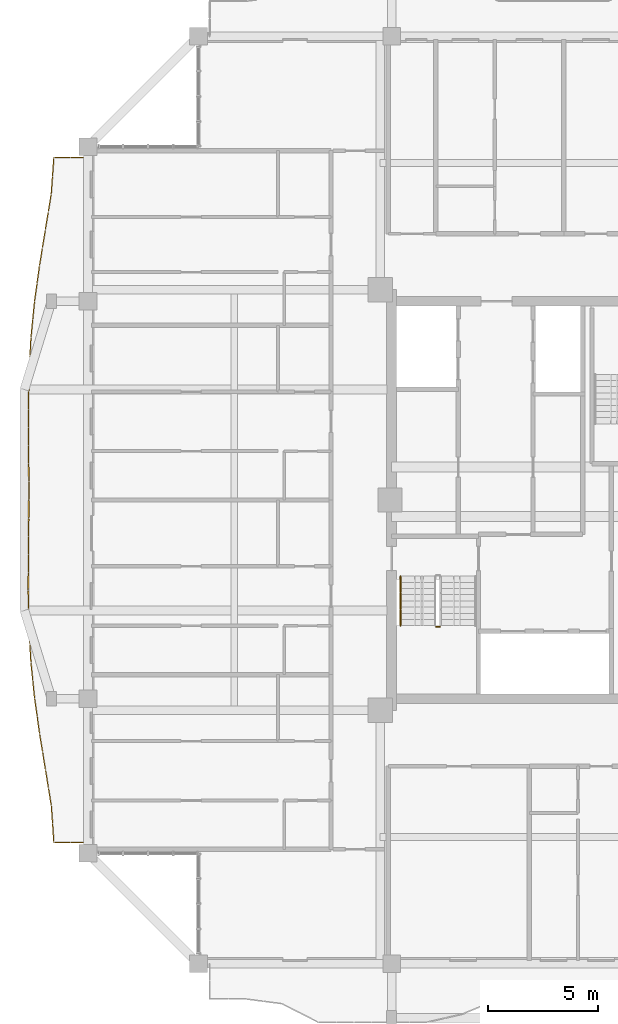
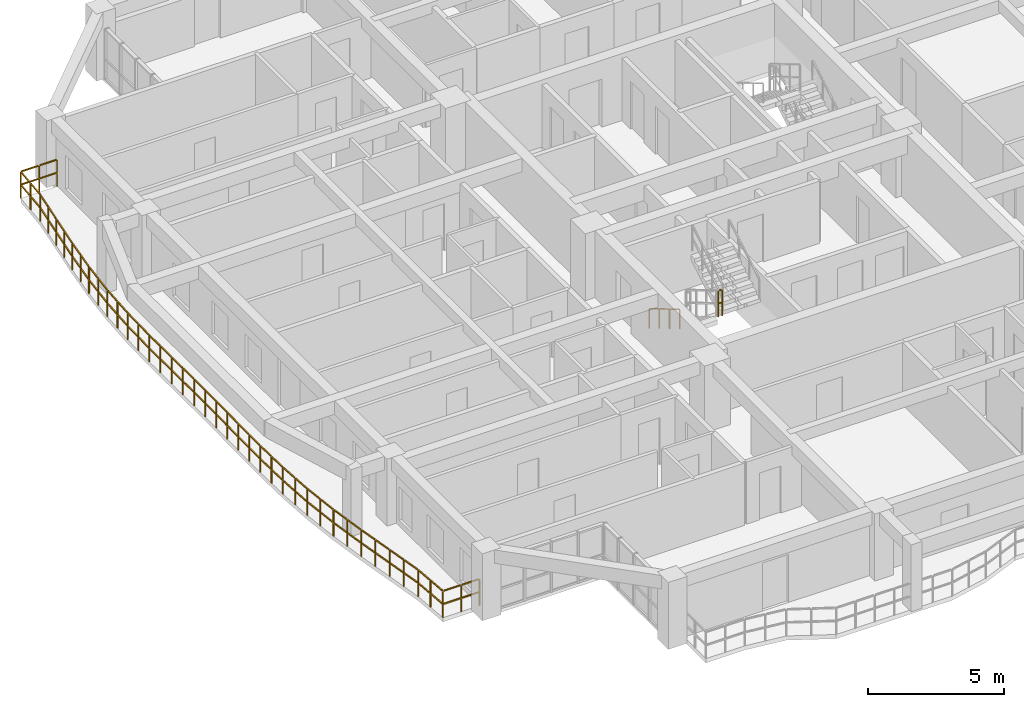
# One storey, part 18 of 21: 3 railings.
"""IFC4 building model written with IfcOpenShell, lengths in metres."""

from ifc_helpers import new_model, si_unit, direction, frame, origin, origin_2d, place, context, subcontext, project, spatial, rectangle, extrude, material, type_object, element, save


model = new_model("IFC4")

# Units and contexts
model_context = context("Model", 3, precision=1e-05, world=origin(), true_north=direction((0.0, 1.0)))
body_context = subcontext(model_context, "Body", "Model", "MODEL_VIEW")
ifc_project = project(units=[si_unit("LENGTHUNIT", "METRE"), si_unit("AREAUNIT", "SQUARE_METRE"), si_unit("VOLUMEUNIT", "CUBIC_METRE"), si_unit("PLANEANGLEUNIT", "RADIAN"), si_unit("MASSUNIT", "GRAM", prefix="KILO")], contexts=[model_context])

# Site, building, storey
site_placement = place(None, origin())
site = spatial("IfcSite", under=ifc_project, at=site_placement, CompositionType="ELEMENT")
building_placement = place(site_placement, origin())
building = spatial("IfcBuilding", under=site, at=building_placement, Name="Saelheon Loggia Tower", CompositionType="ELEMENT")
storey_placement = place(building_placement, frame((0.0, 0.0, 186.699951171875)))
storey = spatial("IfcBuildingStorey", under=building, at=storey_placement, Name="L58", CompositionType="ELEMENT", Elevation=186.699951171875)

# Railings
ifc_material_1 = material(Name="Architectural Precast Concrete and Laminated Glass Guard", Category="concrete")
railing_type_1 = type_object("IfcRailingType", Name="Guard_Loggia_RL_LOG", PredefinedType="BALUSTRADE", material=ifc_material_1)
railing_1_placement = place(storey_placement, frame((17.75, 42.5, 0.0)))
element("IfcRailing", 1, at=railing_1_placement, inside=storey, type_object=railing_type_1, Name="L58 West Loggia Balustrade", PredefinedType="BALUSTRADE", context=body_context, shape_type="SweptSolid", body=[
    extrude(rectangle(XDim=0.048095703125, YDim=0.048095703125, at=origin_2d()), frame((-0.033203125, 0.0, 1.19580078125), z_axis=(-1.0, 0.0, 0.0), x_axis=(0.0, -1.0, 0.0)), (0.0, 0.0, 1.0), 0.70849609375),
    extrude(rectangle(XDim=0.048095703125, YDim=0.048095703125, at=origin_2d()), frame((-0.033203125, 0.0, 0.60986328125), z_axis=(-1.0, 0.0, 0.0), x_axis=(0.0, -1.0, 0.0)), (0.0, 0.0, 1.0), 0.70849609375),
    extrude(rectangle(XDim=0.048095703125, YDim=0.048095703125, at=origin_2d()), frame((-0.808349609375, 0.0, 1.19580078125), z_axis=(-1.0, 0.0, 0.0), x_axis=(0.0, -1.0, 0.0)), (0.0, 0.0, 1.0), 0.70849609375),
    extrude(rectangle(XDim=0.048095703125, YDim=0.048095703125, at=origin_2d()), frame((-0.808349609375, 0.0, 0.60986328125), z_axis=(-1.0, 0.0, 0.0), x_axis=(0.0, -1.0, 0.0)), (0.0, 0.0, 1.0), 0.70849609375),
    extrude(rectangle(XDim=0.048095703125, YDim=0.048095703125, at=origin_2d()), frame((-1.552490234375, -0.033203125, 1.19580078125), z_axis=(-0.071491000488, -0.997441244811, 0.0), x_axis=(0.997441244811, -0.071491000488, 0.0)), (0.0, 0.0, 1.0), 0.75146484375),
    extrude(rectangle(XDim=0.048095703125, YDim=0.048095703125, at=origin_2d()), frame((-1.552490234375, -0.033203125, 0.60986328125), z_axis=(-0.071491000488, -0.997441244811, 0.0), x_axis=(0.997441244811, -0.071491000488, 0.0)), (0.0, 0.0, 1.0), 0.75146484375),
    extrude(rectangle(XDim=0.048095703125, YDim=0.048095703125, at=origin_2d()), frame((-1.61083984375, -0.848876953125, 1.19580078125), z_axis=(-0.071491000488, -0.997441244811, 0.0), x_axis=(0.997441244811, -0.071491000488, 0.0)), (0.0, 0.0, 1.0), 0.75146484375),
    extrude(rectangle(XDim=0.048095703125, YDim=0.048095703125, at=origin_2d()), frame((-1.61083984375, -0.848876953125, 0.60986328125), z_axis=(-0.071491000488, -0.997441244811, 0.0), x_axis=(0.997441244811, -0.071491000488, 0.0)), (0.0, 0.0, 1.0), 0.75146484375),
    extrude(rectangle(XDim=0.048095703125, YDim=0.048095703125, at=origin_2d()), frame((-1.67236328125, -1.664306640625, 1.19580078125), z_axis=(-0.161980105363, -0.98679402383, 0.0), x_axis=(0.98679402383, -0.161980105363, 0.0)), (0.0, 0.0, 1.0), 0.76025390625),
    extrude(rectangle(XDim=0.048095703125, YDim=0.048095703125, at=origin_2d()), frame((-1.67236328125, -1.664306640625, 0.60986328125), z_axis=(-0.161980105363, -0.98679402383, 0.0), x_axis=(0.98679402383, -0.161980105363, 0.0)), (0.0, 0.0, 1.0), 0.76025390625),
    extrude(rectangle(XDim=0.048095703125, YDim=0.048095703125, at=origin_2d()), frame((-1.806396484375, -2.480224609375, 1.19580078125), z_axis=(-0.161980105363, -0.98679402383, 0.0), x_axis=(0.98679402383, -0.161980105363, 0.0)), (0.0, 0.0, 1.0), 0.76025390625),
    extrude(rectangle(XDim=0.048095703125, YDim=0.048095703125, at=origin_2d()), frame((-1.806396484375, -2.480224609375, 0.60986328125), z_axis=(-0.161980105363, -0.98679402383, 0.0), x_axis=(0.98679402383, -0.161980105363, 0.0)), (0.0, 0.0, 1.0), 0.76025390625),
    extrude(rectangle(XDim=0.048095703125, YDim=0.048095703125, at=origin_2d()), frame((-1.940185546875, -3.2958984375, 1.19580078125), z_axis=(-0.160685639946, -0.987005635807, 0.0), x_axis=(0.987005635807, -0.160685639946, 0.0)), (0.0, 0.0, 1.0), 0.760009765625),
    extrude(rectangle(XDim=0.048095703125, YDim=0.048095703125, at=origin_2d()), frame((-1.940185546875, -3.2958984375, 0.60986328125), z_axis=(-0.160685639946, -0.987005635807, 0.0), x_axis=(0.987005635807, -0.160685639946, 0.0)), (0.0, 0.0, 1.0), 0.760009765625),
    extrude(rectangle(XDim=0.048095703125, YDim=0.048095703125, at=origin_2d()), frame((-2.072998046875, -4.11181640625, 1.19580078125), z_axis=(-0.160685639946, -0.987005635807, 0.0), x_axis=(0.987005635807, -0.160685639946, 0.0)), (0.0, 0.0, 1.0), 0.760009765625),
    extrude(rectangle(XDim=0.048095703125, YDim=0.048095703125, at=origin_2d()), frame((-2.072998046875, -4.11181640625, 0.60986328125), z_axis=(-0.160685639946, -0.987005635807, 0.0), x_axis=(0.987005635807, -0.160685639946, 0.0)), (0.0, 0.0, 1.0), 0.760009765625),
    extrude(rectangle(XDim=0.048095703125, YDim=0.048095703125, at=origin_2d()), frame((-2.205078125, -4.927734375, 1.19580078125), z_axis=(-0.137394685749, -0.990516380646, 0.0), x_axis=(0.990516380646, -0.137394685749, 0.0)), (0.0, 0.0, 1.0), 0.757080078125),
    extrude(rectangle(XDim=0.048095703125, YDim=0.048095703125, at=origin_2d()), frame((-2.205078125, -4.927734375, 0.60986328125), z_axis=(-0.137394685749, -0.990516380646, 0.0), x_axis=(0.990516380646, -0.137394685749, 0.0)), (0.0, 0.0, 1.0), 0.757080078125),
    extrude(rectangle(XDim=0.048095703125, YDim=0.048095703125, at=origin_2d()), frame((-2.318115234375, -5.743408203125, 1.19580078125), z_axis=(-0.137394685749, -0.990516380646, 0.0), x_axis=(0.990516380646, -0.137394685749, 0.0)), (0.0, 0.0, 1.0), 0.757080078125),
    extrude(rectangle(XDim=0.048095703125, YDim=0.048095703125, at=origin_2d()), frame((-2.318115234375, -5.743408203125, 0.60986328125), z_axis=(-0.137394685749, -0.990516380646, 0.0), x_axis=(0.990516380646, -0.137394685749, 0.0)), (0.0, 0.0, 1.0), 0.757080078125),
    extrude(rectangle(XDim=0.048095703125, YDim=0.048095703125, at=origin_2d()), frame((-2.429931640625, -6.559326171875, 1.19580078125), z_axis=(-0.097542502009, -0.995231360188, 0.0), x_axis=(0.995231360188, -0.097542502009, 0.0)), (0.0, 0.0, 1.0), 0.753173828125),
    extrude(rectangle(XDim=0.048095703125, YDim=0.048095703125, at=origin_2d()), frame((-2.429931640625, -6.559326171875, 0.60986328125), z_axis=(-0.097542502009, -0.995231360188, 0.0), x_axis=(0.995231360188, -0.097542502009, 0.0)), (0.0, 0.0, 1.0), 0.753173828125),
    extrude(rectangle(XDim=0.048095703125, YDim=0.048095703125, at=origin_2d()), frame((-2.510009765625, -7.375244140625, 1.19580078125), z_axis=(-0.097542502009, -0.995231360188, 0.0), x_axis=(0.995231360188, -0.097542502009, 0.0)), (0.0, 0.0, 1.0), 0.753173828125),
    extrude(rectangle(XDim=0.048095703125, YDim=0.048095703125, at=origin_2d()), frame((-2.510009765625, -7.375244140625, 0.60986328125), z_axis=(-0.097542502009, -0.995231360188, 0.0), x_axis=(0.995231360188, -0.097542502009, 0.0)), (0.0, 0.0, 1.0), 0.753173828125),
    extrude(rectangle(XDim=0.048095703125, YDim=0.048095703125, at=origin_2d()), frame((-2.58837890625, -8.191162109375, 1.19580078125), z_axis=(-0.052598047159, -0.998615764664, 0.0), x_axis=(0.998615764664, -0.052598047159, 0.0)), (0.0, 0.0, 1.0), 0.75048828125),
    extrude(rectangle(XDim=0.048095703125, YDim=0.048095703125, at=origin_2d()), frame((-2.58837890625, -8.191162109375, 0.60986328125), z_axis=(-0.052598047159, -0.998615764664, 0.0), x_axis=(0.998615764664, -0.052598047159, 0.0)), (0.0, 0.0, 1.0), 0.75048828125),
    extrude(rectangle(XDim=0.048095703125, YDim=0.048095703125, at=origin_2d()), frame((-2.63134765625, -9.0068359375, 1.19580078125), z_axis=(-0.052598047159, -0.998615764664, 0.0), x_axis=(0.998615764664, -0.052598047159, 0.0)), (0.0, 0.0, 1.0), 0.75048828125),
    extrude(rectangle(XDim=0.048095703125, YDim=0.048095703125, at=origin_2d()), frame((-2.63134765625, -9.0068359375, 0.60986328125), z_axis=(-0.052598047159, -0.998615764664, 0.0), x_axis=(0.998615764664, -0.052598047159, 0.0)), (0.0, 0.0, 1.0), 0.75048828125),
    extrude(rectangle(XDim=0.048095703125, YDim=0.048095703125, at=origin_2d()), frame((-2.673095703125, -9.82275390625, 1.19580078125), z_axis=(-0.015859145444, -0.999874235845, 0.0), x_axis=(0.999874235845, -0.015859145444, 0.0)), (0.0, 0.0, 1.0), 0.74951171875),
    extrude(rectangle(XDim=0.048095703125, YDim=0.048095703125, at=origin_2d()), frame((-2.673095703125, -9.82275390625, 0.60986328125), z_axis=(-0.015859145444, -0.999874235845, 0.0), x_axis=(0.999874235845, -0.015859145444, 0.0)), (0.0, 0.0, 1.0), 0.74951171875),
    extrude(rectangle(XDim=0.048095703125, YDim=0.048095703125, at=origin_2d()), frame((-2.68603515625, -10.638671875, 1.19580078125), z_axis=(-0.015859145444, -0.999874235845, 0.0), x_axis=(0.999874235845, -0.015859145444, 0.0)), (0.0, 0.0, 1.0), 0.74951171875),
    extrude(rectangle(XDim=0.048095703125, YDim=0.048095703125, at=origin_2d()), frame((-2.68603515625, -10.638671875, 0.60986328125), z_axis=(-0.015859145444, -0.999874235845, 0.0), x_axis=(0.999874235845, -0.015859145444, 0.0)), (0.0, 0.0, 1.0), 0.74951171875),
    extrude(rectangle(XDim=0.048095703125, YDim=0.048095703125, at=origin_2d()), frame((-2.6982421875, -11.454345703125, 1.19580078125), z_axis=(0.004339977086, -0.999990582255, 0.0), x_axis=(0.999990582255, 0.004339977086, 0.0)), (0.0, 0.0, 1.0), 0.749267578125),
    extrude(rectangle(XDim=0.048095703125, YDim=0.048095703125, at=origin_2d()), frame((-2.6982421875, -11.454345703125, 0.60986328125), z_axis=(0.004339977086, -0.999990582255, 0.0), x_axis=(0.999990582255, 0.004339977086, 0.0)), (0.0, 0.0, 1.0), 0.749267578125),
    extrude(rectangle(XDim=0.048095703125, YDim=0.048095703125, at=origin_2d()), frame((-2.69482421875, -12.27001953125, 1.19580078125), z_axis=(0.004339977086, -0.999990582255, 0.0), x_axis=(0.999990582255, 0.004339977086, 0.0)), (0.0, 0.0, 1.0), 0.749267578125),
    extrude(rectangle(XDim=0.048095703125, YDim=0.048095703125, at=origin_2d()), frame((-2.69482421875, -12.27001953125, 0.60986328125), z_axis=(0.004339977086, -0.999990582255, 0.0), x_axis=(0.999990582255, 0.004339977086, 0.0)), (0.0, 0.0, 1.0), 0.749267578125),
    extrude(rectangle(XDim=0.048095703125, YDim=0.048095703125, at=origin_2d()), frame((-2.691162109375, -13.085693359375, 1.19580078125), z_axis=(0.006583726828, -0.999978327036, 0.0), x_axis=(0.999978327036, 0.006583726828, 0.0)), (0.0, 0.0, 1.0), 0.749267578125),
    extrude(rectangle(XDim=0.048095703125, YDim=0.048095703125, at=origin_2d()), frame((-2.691162109375, -13.085693359375, 0.60986328125), z_axis=(0.006583726828, -0.999978327036, 0.0), x_axis=(0.999978327036, 0.006583726828, 0.0)), (0.0, 0.0, 1.0), 0.749267578125),
    extrude(rectangle(XDim=0.048095703125, YDim=0.048095703125, at=origin_2d()), frame((-2.685791015625, -13.901611328125, 1.19580078125), z_axis=(0.006583726828, -0.999978327036, 0.0), x_axis=(0.999978327036, 0.006583726828, 0.0)), (0.0, 0.0, 1.0), 0.749267578125),
    extrude(rectangle(XDim=0.048095703125, YDim=0.048095703125, at=origin_2d()), frame((-2.685791015625, -13.901611328125, 0.60986328125), z_axis=(0.006583726828, -0.999978327036, 0.0), x_axis=(0.999978327036, 0.006583726828, 0.0)), (0.0, 0.0, 1.0), 0.749267578125),
    extrude(rectangle(XDim=0.048095703125, YDim=0.048095703125, at=origin_2d()), frame((-2.6806640625, -14.71728515625, 1.19580078125), z_axis=(-0.001944939469, -0.999998108603, 0.0), x_axis=(0.999998108603, -0.001944939469, 0.0)), (0.0, 0.0, 1.0), 0.74951171875),
    extrude(rectangle(XDim=0.048095703125, YDim=0.048095703125, at=origin_2d()), frame((-2.6806640625, -14.71728515625, 0.60986328125), z_axis=(-0.001944939469, -0.999998108603, 0.0), x_axis=(0.999998108603, -0.001944939469, 0.0)), (0.0, 0.0, 1.0), 0.74951171875),
    extrude(rectangle(XDim=0.048095703125, YDim=0.048095703125, at=origin_2d()), frame((-2.682373046875, -15.533203125, 1.19580078125), z_axis=(-0.001944939469, -0.999998108603, 0.0), x_axis=(0.999998108603, -0.001944939469, 0.0)), (0.0, 0.0, 1.0), 0.74951171875),
    extrude(rectangle(XDim=0.048095703125, YDim=0.048095703125, at=origin_2d()), frame((-2.682373046875, -15.533203125, 0.60986328125), z_axis=(-0.001944939469, -0.999998108603, 0.0), x_axis=(0.999998108603, -0.001944939469, 0.0)), (0.0, 0.0, 1.0), 0.74951171875),
    extrude(rectangle(XDim=0.048095703125, YDim=0.048095703125, at=origin_2d()), frame((-2.68408203125, -16.34912109375, 1.19580078125), z_axis=(-0.009725710874, -0.999952704156, 0.0), x_axis=(0.999952704156, -0.009725710874, 0.0)), (0.0, 0.0, 1.0), 0.749267578125),
    extrude(rectangle(XDim=0.048095703125, YDim=0.048095703125, at=origin_2d()), frame((-2.68408203125, -16.34912109375, 0.60986328125), z_axis=(-0.009725710874, -0.999952704156, 0.0), x_axis=(0.999952704156, -0.009725710874, 0.0)), (0.0, 0.0, 1.0), 0.749267578125),
    extrude(rectangle(XDim=0.048095703125, YDim=0.048095703125, at=origin_2d()), frame((-2.692138671875, -17.1650390625, 1.19580078125), z_axis=(-0.009725710874, -0.999952704156, 0.0), x_axis=(0.999952704156, -0.009725710874, 0.0)), (0.0, 0.0, 1.0), 0.749267578125),
    extrude(rectangle(XDim=0.048095703125, YDim=0.048095703125, at=origin_2d()), frame((-2.692138671875, -17.1650390625, 0.60986328125), z_axis=(-0.009725710874, -0.999952704156, 0.0), x_axis=(0.999952704156, -0.009725710874, 0.0)), (0.0, 0.0, 1.0), 0.749267578125),
    extrude(rectangle(XDim=0.048095703125, YDim=0.048095703125, at=origin_2d()), frame((-2.699951171875, -17.980712890625, 1.19580078125), z_axis=(-0.005237880856, -0.999986282208, 0.0), x_axis=(0.999986282208, -0.005237880856, 0.0)), (0.0, 0.0, 1.0), 0.749267578125),
    extrude(rectangle(XDim=0.048095703125, YDim=0.048095703125, at=origin_2d()), frame((-2.699951171875, -17.980712890625, 0.60986328125), z_axis=(-0.005237880856, -0.999986282208, 0.0), x_axis=(0.999986282208, -0.005237880856, 0.0)), (0.0, 0.0, 1.0), 0.749267578125),
    extrude(rectangle(XDim=0.048095703125, YDim=0.048095703125, at=origin_2d()), frame((-2.7041015625, -18.79638671875, 1.19580078125), z_axis=(-0.005237880856, -0.999986282208, 0.0), x_axis=(0.999986282208, -0.005237880856, 0.0)), (0.0, 0.0, 1.0), 0.749267578125),
    extrude(rectangle(XDim=0.048095703125, YDim=0.048095703125, at=origin_2d()), frame((-2.7041015625, -18.79638671875, 0.60986328125), z_axis=(-0.005237880856, -0.999986282208, 0.0), x_axis=(0.999986282208, -0.005237880856, 0.0)), (0.0, 0.0, 1.0), 0.749267578125),
    extrude(rectangle(XDim=0.048095703125, YDim=0.048095703125, at=origin_2d()), frame((-2.707763671875, -19.612060546875, 1.19580078125), z_axis=(0.017354860032, -0.999849393075, 0.0), x_axis=(0.999849393075, 0.017354860032, 0.0)), (0.0, 0.0, 1.0), 0.74951171875),
    extrude(rectangle(XDim=0.048095703125, YDim=0.048095703125, at=origin_2d()), frame((-2.707763671875, -19.612060546875, 0.60986328125), z_axis=(0.017354860032, -0.999849393075, 0.0), x_axis=(0.999849393075, 0.017354860032, 0.0)), (0.0, 0.0, 1.0), 0.74951171875),
    extrude(rectangle(XDim=0.048095703125, YDim=0.048095703125, at=origin_2d()), frame((-2.693603515625, -20.427978515625, 1.19580078125), z_axis=(0.017354860032, -0.999849393075, 0.0), x_axis=(0.999849393075, 0.017354860032, 0.0)), (0.0, 0.0, 1.0), 0.74951171875),
    extrude(rectangle(XDim=0.048095703125, YDim=0.048095703125, at=origin_2d()), frame((-2.693603515625, -20.427978515625, 0.60986328125), z_axis=(0.017354860032, -0.999849393075, 0.0), x_axis=(0.999849393075, 0.017354860032, 0.0)), (0.0, 0.0, 1.0), 0.74951171875),
    extrude(rectangle(XDim=0.048095703125, YDim=0.048095703125, at=origin_2d()), frame((-2.677978515625, -21.24365234375, 1.19580078125), z_axis=(0.056024393999, -0.998429400247, 0.0), x_axis=(0.998429400247, 0.056024393999, 0.0)), (0.0, 0.0, 1.0), 0.750732421875),
    extrude(rectangle(XDim=0.048095703125, YDim=0.048095703125, at=origin_2d()), frame((-2.677978515625, -21.24365234375, 0.60986328125), z_axis=(0.056024393999, -0.998429400247, 0.0), x_axis=(0.998429400247, 0.056024393999, 0.0)), (0.0, 0.0, 1.0), 0.750732421875),
    extrude(rectangle(XDim=0.048095703125, YDim=0.048095703125, at=origin_2d()), frame((-2.63232421875, -22.059326171875, 1.19580078125), z_axis=(0.056024393999, -0.998429400247, 0.0), x_axis=(0.998429400247, 0.056024393999, 0.0)), (0.0, 0.0, 1.0), 0.750732421875),
    extrude(rectangle(XDim=0.048095703125, YDim=0.048095703125, at=origin_2d()), frame((-2.63232421875, -22.059326171875, 0.60986328125), z_axis=(0.056024393999, -0.998429400247, 0.0), x_axis=(0.998429400247, 0.056024393999, 0.0)), (0.0, 0.0, 1.0), 0.750732421875),
    extrude(rectangle(XDim=0.048095703125, YDim=0.048095703125, at=origin_2d()), frame((-2.5849609375, -22.875, 1.19580078125), z_axis=(0.101228042651, -0.994863248583, 0.0), x_axis=(0.994863248583, 0.101228042651, 0.0)), (0.0, 0.0, 1.0), 0.75341796875),
    extrude(rectangle(XDim=0.048095703125, YDim=0.048095703125, at=origin_2d()), frame((-2.5849609375, -22.875, 0.60986328125), z_axis=(0.101228042651, -0.994863248583, 0.0), x_axis=(0.994863248583, 0.101228042651, 0.0)), (0.0, 0.0, 1.0), 0.75341796875),
    extrude(rectangle(XDim=0.048095703125, YDim=0.048095703125, at=origin_2d()), frame((-2.501953125, -23.69091796875, 1.19580078125), z_axis=(0.101228042651, -0.994863248583, 0.0), x_axis=(0.994863248583, 0.101228042651, 0.0)), (0.0, 0.0, 1.0), 0.75341796875),
    extrude(rectangle(XDim=0.048095703125, YDim=0.048095703125, at=origin_2d()), frame((-2.501953125, -23.69091796875, 0.60986328125), z_axis=(0.101228042651, -0.994863248583, 0.0), x_axis=(0.994863248583, 0.101228042651, 0.0)), (0.0, 0.0, 1.0), 0.75341796875),
    extrude(rectangle(XDim=0.048095703125, YDim=0.048095703125, at=origin_2d()), frame((-2.417724609375, -24.506591796875, 1.19580078125), z_axis=(0.140010734184, -0.990149985766, 0.0), x_axis=(0.990149985766, 0.140010734184, 0.0)), (0.0, 0.0, 1.0), 0.75732421875),
    extrude(rectangle(XDim=0.048095703125, YDim=0.048095703125, at=origin_2d()), frame((-2.417724609375, -24.506591796875, 0.60986328125), z_axis=(0.140010734184, -0.990149985766, 0.0), x_axis=(0.990149985766, 0.140010734184, 0.0)), (0.0, 0.0, 1.0), 0.75732421875),
    extrude(rectangle(XDim=0.048095703125, YDim=0.048095703125, at=origin_2d()), frame((-2.30224609375, -25.322265625, 1.19580078125), z_axis=(0.140010734184, -0.990149985766, 0.0), x_axis=(0.990149985766, 0.140010734184, 0.0)), (0.0, 0.0, 1.0), 0.75732421875),
    extrude(rectangle(XDim=0.048095703125, YDim=0.048095703125, at=origin_2d()), frame((-2.30224609375, -25.322265625, 0.60986328125), z_axis=(0.140010734184, -0.990149985766, 0.0), x_axis=(0.990149985766, 0.140010734184, 0.0)), (0.0, 0.0, 1.0), 0.75732421875),
    extrude(rectangle(XDim=0.048095703125, YDim=0.048095703125, at=origin_2d()), frame((-2.186279296875, -26.137939453125, 1.19580078125), z_axis=(0.161117220902, -0.986935277072, 0.0), x_axis=(0.986935277072, 0.161117220902, 0.0)), (0.0, 0.0, 1.0), 0.760009765625),
    extrude(rectangle(XDim=0.048095703125, YDim=0.048095703125, at=origin_2d()), frame((-2.186279296875, -26.137939453125, 0.60986328125), z_axis=(0.161117220902, -0.986935277072, 0.0), x_axis=(0.986935277072, 0.161117220902, 0.0)), (0.0, 0.0, 1.0), 0.760009765625),
    extrude(rectangle(XDim=0.048095703125, YDim=0.048095703125, at=origin_2d()), frame((-2.05322265625, -26.953857421875, 1.19580078125), z_axis=(0.161117220902, -0.986935277072, 0.0), x_axis=(0.986935277072, 0.161117220902, 0.0)), (0.0, 0.0, 1.0), 0.760009765625),
    extrude(rectangle(XDim=0.048095703125, YDim=0.048095703125, at=origin_2d()), frame((-2.05322265625, -26.953857421875, 0.60986328125), z_axis=(0.161117220902, -0.986935277072, 0.0), x_axis=(0.986935277072, 0.161117220902, 0.0)), (0.0, 0.0, 1.0), 0.760009765625),
    extrude(rectangle(XDim=0.048095703125, YDim=0.048095703125, at=origin_2d()), frame((-1.919921875, -27.76953125, 1.19580078125), z_axis=(0.160110055306, -0.98709916938, 0.0), x_axis=(0.98709916938, 0.160110055306, 0.0)), (0.0, 0.0, 1.0), 0.760009765625),
    extrude(rectangle(XDim=0.048095703125, YDim=0.048095703125, at=origin_2d()), frame((-1.919921875, -27.76953125, 0.60986328125), z_axis=(0.160110055306, -0.98709916938, 0.0), x_axis=(0.98709916938, 0.160110055306, 0.0)), (0.0, 0.0, 1.0), 0.760009765625),
    extrude(rectangle(XDim=0.048095703125, YDim=0.048095703125, at=origin_2d()), frame((-1.78759765625, -28.58544921875, 1.19580078125), z_axis=(0.160110055306, -0.98709916938, 0.0), x_axis=(0.98709916938, 0.160110055306, 0.0)), (0.0, 0.0, 1.0), 0.760009765625),
    extrude(rectangle(XDim=0.048095703125, YDim=0.048095703125, at=origin_2d()), frame((-1.78759765625, -28.58544921875, 0.60986328125), z_axis=(0.160110055306, -0.98709916938, 0.0), x_axis=(0.98709916938, 0.160110055306, 0.0)), (0.0, 0.0, 1.0), 0.760009765625),
    extrude(rectangle(XDim=0.048095703125, YDim=0.048095703125, at=origin_2d()), frame((-1.658447265625, -29.401611328125, 1.19580078125), z_axis=(0.067628741853, -0.99771055586, 0.0), x_axis=(0.99771055586, 0.067628741853, 0.0)), (0.0, 0.0, 1.0), 0.751220703125),
    extrude(rectangle(XDim=0.048095703125, YDim=0.048095703125, at=origin_2d()), frame((-1.658447265625, -29.401611328125, 0.60986328125), z_axis=(0.067628741853, -0.99771055586, 0.0), x_axis=(0.99771055586, 0.067628741853, 0.0)), (0.0, 0.0, 1.0), 0.751220703125),
    extrude(rectangle(XDim=0.048095703125, YDim=0.048095703125, at=origin_2d()), frame((-1.60302734375, -30.21728515625, 1.19580078125), z_axis=(0.067628741853, -0.99771055586, 0.0), x_axis=(0.99771055586, 0.067628741853, 0.0)), (0.0, 0.0, 1.0), 0.751220703125),
    extrude(rectangle(XDim=0.048095703125, YDim=0.048095703125, at=origin_2d()), frame((-1.60302734375, -30.21728515625, 0.60986328125), z_axis=(0.067628741853, -0.99771055586, 0.0), x_axis=(0.99771055586, 0.067628741853, 0.0)), (0.0, 0.0, 1.0), 0.751220703125),
    extrude(rectangle(XDim=0.048095703125, YDim=0.048095703125, at=origin_2d()), frame((-1.516845703125, -31.0, 1.19580078125), z_axis=(1.0, 0.0, 0.0), x_axis=(0.0, 1.0, 0.0)), (0.0, 0.0, 1.0), 0.70849609375),
    extrude(rectangle(XDim=0.048095703125, YDim=0.048095703125, at=origin_2d()), frame((-1.516845703125, -31.0, 0.60986328125), z_axis=(1.0, 0.0, 0.0), x_axis=(0.0, 1.0, 0.0)), (0.0, 0.0, 1.0), 0.70849609375),
    extrude(rectangle(XDim=0.048095703125, YDim=0.048095703125, at=origin_2d()), frame((-0.74169921875, -31.0, 1.19580078125), z_axis=(1.0, 0.0, 0.0), x_axis=(0.0, 1.0, 0.0)), (0.0, 0.0, 1.0), 0.70849609375),
    extrude(rectangle(XDim=0.048095703125, YDim=0.048095703125, at=origin_2d()), frame((-0.74169921875, -31.0, 0.60986328125), z_axis=(1.0, 0.0, 0.0), x_axis=(0.0, 1.0, 0.0)), (0.0, 0.0, 1.0), 0.70849609375),
    extrude(rectangle(XDim=0.0419921875, YDim=0.0419921875, at=origin_2d()), origin(), (0.0, 0.0, 1.0), 1.16796875),
    extrude(rectangle(XDim=0.0419921875, YDim=0.0419921875, at=origin_2d()), frame((-0.77490234375, 0.0, 0.0)), (0.0, 0.0, 1.0), 1.16796875),
    extrude(rectangle(XDim=0.0419921875, YDim=0.0419921875, at=origin_2d()), frame((-1.550048828125, 0.0, 0.0)), (0.0, 0.0, 1.0), 1.16796875),
    extrude(rectangle(XDim=0.0419921875, YDim=0.0419921875, at=origin_2d()), frame((-1.6083984375, -0.81591796875, 0.0)), (0.0, 0.0, 1.0), 1.16796875),
    extrude(rectangle(XDim=0.0419921875, YDim=0.0419921875, at=origin_2d()), frame((-1.6669921875, -1.631591796875, 0.0)), (0.0, 0.0, 1.0), 1.16796875),
    extrude(rectangle(XDim=0.0419921875, YDim=0.0419921875, at=origin_2d()), frame((-1.80078125, -2.447265625, 0.0)), (0.0, 0.0, 1.0), 1.16796875),
    extrude(rectangle(XDim=0.0419921875, YDim=0.0419921875, at=origin_2d()), frame((-1.934814453125, -3.26318359375, 0.0)), (0.0, 0.0, 1.0), 1.16796875),
    extrude(rectangle(XDim=0.0419921875, YDim=0.0419921875, at=origin_2d()), frame((-2.067626953125, -4.0791015625, 0.0)), (0.0, 0.0, 1.0), 1.16796875),
    extrude(rectangle(XDim=0.0419921875, YDim=0.0419921875, at=origin_2d()), frame((-2.200439453125, -4.894775390625, 0.0)), (0.0, 0.0, 1.0), 1.16796875),
    extrude(rectangle(XDim=0.0419921875, YDim=0.0419921875, at=origin_2d()), frame((-2.3134765625, -5.71044921875, 0.0)), (0.0, 0.0, 1.0), 1.16796875),
    extrude(rectangle(XDim=0.0419921875, YDim=0.0419921875, at=origin_2d()), frame((-2.4267578125, -6.5263671875, 0.0)), (0.0, 0.0, 1.0), 1.16796875),
    extrude(rectangle(XDim=0.0419921875, YDim=0.0419921875, at=origin_2d()), frame((-2.5068359375, -7.34228515625, 0.0)), (0.0, 0.0, 1.0), 1.16796875),
    extrude(rectangle(XDim=0.0419921875, YDim=0.0419921875, at=origin_2d()), frame((-2.586669921875, -8.157958984375, 0.0)), (0.0, 0.0, 1.0), 1.16796875),
    extrude(rectangle(XDim=0.0419921875, YDim=0.0419921875, at=origin_2d()), frame((-2.629638671875, -8.9736328125, 0.0)), (0.0, 0.0, 1.0), 1.16796875),
    extrude(rectangle(XDim=0.0419921875, YDim=0.0419921875, at=origin_2d()), frame((-2.672607421875, -9.78955078125, 0.0)), (0.0, 0.0, 1.0), 1.16796875),
    extrude(rectangle(XDim=0.0419921875, YDim=0.0419921875, at=origin_2d()), frame((-2.685546875, -10.60546875, 0.0)), (0.0, 0.0, 1.0), 1.16796875),
    extrude(rectangle(XDim=0.0419921875, YDim=0.0419921875, at=origin_2d()), frame((-2.698486328125, -11.421142578125, 0.0)), (0.0, 0.0, 1.0), 1.16796875),
    extrude(rectangle(XDim=0.0419921875, YDim=0.0419921875, at=origin_2d()), frame((-2.69482421875, -12.23681640625, 0.0)), (0.0, 0.0, 1.0), 1.16796875),
    extrude(rectangle(XDim=0.0419921875, YDim=0.0419921875, at=origin_2d()), frame((-2.69140625, -13.052490234375, 0.0)), (0.0, 0.0, 1.0), 1.16796875),
    extrude(rectangle(XDim=0.0419921875, YDim=0.0419921875, at=origin_2d()), frame((-2.68603515625, -13.8681640625, 0.0)), (0.0, 0.0, 1.0), 1.16796875),
    extrude(rectangle(XDim=0.0419921875, YDim=0.0419921875, at=origin_2d()), frame((-2.6806640625, -14.68408203125, 0.0)), (0.0, 0.0, 1.0), 1.16796875),
    extrude(rectangle(XDim=0.0419921875, YDim=0.0419921875, at=origin_2d()), frame((-2.68212890625, -15.5, 0.0)), (0.0, 0.0, 1.0), 1.16796875),
    extrude(rectangle(XDim=0.0419921875, YDim=0.0419921875, at=origin_2d()), frame((-2.683837890625, -16.31591796875, 0.0)), (0.0, 0.0, 1.0), 1.16796875),
    extrude(rectangle(XDim=0.0419921875, YDim=0.0419921875, at=origin_2d()), frame((-2.69189453125, -17.1318359375, 0.0)), (0.0, 0.0, 1.0), 1.16796875),
    extrude(rectangle(XDim=0.0419921875, YDim=0.0419921875, at=origin_2d()), frame((-2.69970703125, -17.947509765625, 0.0)), (0.0, 0.0, 1.0), 1.16796875),
    extrude(rectangle(XDim=0.0419921875, YDim=0.0419921875, at=origin_2d()), frame((-2.7041015625, -18.76318359375, 0.0)), (0.0, 0.0, 1.0), 1.16796875),
    extrude(rectangle(XDim=0.0419921875, YDim=0.0419921875, at=origin_2d()), frame((-2.708251953125, -19.578857421875, 0.0)), (0.0, 0.0, 1.0), 1.16796875),
    extrude(rectangle(XDim=0.0419921875, YDim=0.0419921875, at=origin_2d()), frame((-2.694091796875, -20.39453125, 0.0)), (0.0, 0.0, 1.0), 1.16796875),
    extrude(rectangle(XDim=0.0419921875, YDim=0.0419921875, at=origin_2d()), frame((-2.679931640625, -21.21044921875, 0.0)), (0.0, 0.0, 1.0), 1.16796875),
    extrude(rectangle(XDim=0.0419921875, YDim=0.0419921875, at=origin_2d()), frame((-2.63427734375, -22.0263671875, 0.0)), (0.0, 0.0, 1.0), 1.16796875),
    extrude(rectangle(XDim=0.0419921875, YDim=0.0419921875, at=origin_2d()), frame((-2.58837890625, -22.842041015625, 0.0)), (0.0, 0.0, 1.0), 1.16796875),
    extrude(rectangle(XDim=0.0419921875, YDim=0.0419921875, at=origin_2d()), frame((-2.50537109375, -23.65771484375, 0.0)), (0.0, 0.0, 1.0), 1.16796875),
    extrude(rectangle(XDim=0.0419921875, YDim=0.0419921875, at=origin_2d()), frame((-2.42236328125, -24.4736328125, 0.0)), (0.0, 0.0, 1.0), 1.16796875),
    extrude(rectangle(XDim=0.0419921875, YDim=0.0419921875, at=origin_2d()), frame((-2.30712890625, -25.28955078125, 0.0)), (0.0, 0.0, 1.0), 1.16796875),
    extrude(rectangle(XDim=0.0419921875, YDim=0.0419921875, at=origin_2d()), frame((-2.191650390625, -26.105224609375, 0.0)), (0.0, 0.0, 1.0), 1.16796875),
    extrude(rectangle(XDim=0.0419921875, YDim=0.0419921875, at=origin_2d()), frame((-2.05859375, -26.9208984375, 0.0)), (0.0, 0.0, 1.0), 1.16796875),
    extrude(rectangle(XDim=0.0419921875, YDim=0.0419921875, at=origin_2d()), frame((-1.92529296875, -27.73681640625, 0.0)), (0.0, 0.0, 1.0), 1.16796875),
    extrude(rectangle(XDim=0.0419921875, YDim=0.0419921875, at=origin_2d()), frame((-1.79296875, -28.552734375, 0.0)), (0.0, 0.0, 1.0), 1.16796875),
    extrude(rectangle(XDim=0.0419921875, YDim=0.0419921875, at=origin_2d()), frame((-1.66064453125, -29.368408203125, 0.0)), (0.0, 0.0, 1.0), 1.16796875),
    extrude(rectangle(XDim=0.0419921875, YDim=0.0419921875, at=origin_2d()), frame((-1.60546875, -30.18408203125, 0.0)), (0.0, 0.0, 1.0), 1.16796875),
    extrude(rectangle(XDim=0.0419921875, YDim=0.0419921875, at=origin_2d()), frame((-1.550048828125, -31.0, 0.0)), (0.0, 0.0, 1.0), 1.16796875),
    extrude(rectangle(XDim=0.0419921875, YDim=0.0419921875, at=origin_2d()), frame((-0.77490234375, -31.0, 0.0)), (0.0, 0.0, 1.0), 1.16796875),
    extrude(rectangle(XDim=0.0419921875, YDim=0.0419921875, at=origin_2d()), frame((0.0, -31.0, 0.0)), (0.0, 0.0, 1.0), 1.16796875),
])
ifc_material_2 = material(Name="Galvanised Steel S275 Stairwell Guardrail", Category="steel")
railing_type_2 = type_object("IfcRailingType", Name="Guard_StairWell_RL_STG", PredefinedType="GUARDRAIL", material=ifc_material_2)
railing_2_placement = place(storey_placement, frame((33.510009765625, 21.260009765625, 1.5)))
element("IfcRailing", 2, at=railing_2_placement, inside=storey, type_object=railing_type_2, Name="L58 ST1 stair guard 2", PredefinedType="GUARDRAIL", context=body_context, shape_type="SweptSolid", body=[
    extrude(rectangle(XDim=0.048095703125, YDim=0.048095703125, at=origin_2d()), frame((0.033203125, 0.0, 1.17578125), z_axis=(1.0, 0.0, 0.0), x_axis=(0.0, 1.0, 0.0)), (0.0, 0.0, 1.0), 0.093505859375),
    extrude(rectangle(XDim=0.048095703125, YDim=0.048095703125, at=origin_2d()), frame((0.033203125, 0.0, 0.60009765625), z_axis=(1.0, 0.0, 0.0), x_axis=(0.0, 1.0, 0.0)), (0.0, 0.0, 1.0), 0.093505859375),
    extrude(rectangle(XDim=0.0419921875, YDim=0.0419921875, at=origin_2d()), origin(), (0.0, 0.0, 1.0), 1.14794921875),
    extrude(rectangle(XDim=0.0419921875, YDim=0.0419921875, at=origin_2d()), frame((0.159912109375, 0.0, 0.0)), (0.0, 0.0, 1.0), 1.14794921875),
])
ifc_material_3 = material(Name="Stainless Steel 304 Tubular Handrail", Category="steel")
railing_type_3 = type_object("IfcRailingType", Name="Handrail_Stair_RL_HR1", PredefinedType="HANDRAIL", material=ifc_material_3)
railing_3_placement = place(storey_placement, frame((31.89990234375, 23.550048828125, 0.166748046875)))
element("IfcRailing", 3, at=railing_3_placement, inside=storey, type_object=railing_type_3, Name="L58 ST1 stair handrail 1", PredefinedType="HANDRAIL", context=body_context, shape_type="SweptSolid", body=[
    extrude(rectangle(XDim=0.048095703125, YDim=0.048095703125, at=origin_2d()), frame((0.0, -0.028564453125, 0.892822265625), z_axis=(0.0, -0.859305625298, 0.511462454469), x_axis=(1.0, 0.0, 0.0)), (0.0, 0.0, 1.0), 0.802490234375),
    extrude(rectangle(XDim=0.048095703125, YDim=0.048095703125, at=origin_2d()), frame((0.0, -0.775146484375, 1.337158203125), z_axis=(0.0, -0.859305625298, 0.511462454469), x_axis=(1.0, 0.0, 0.0)), (0.0, 0.0, 1.0), 0.802490234375),
    extrude(rectangle(XDim=0.048095703125, YDim=0.048095703125, at=origin_2d()), frame((0.0, -1.52197265625, 1.78173828125), z_axis=(0.0, -0.859305625298, 0.511462454469), x_axis=(1.0, 0.0, 0.0)), (0.0, 0.0, 1.0), 0.802490234375),
    extrude(rectangle(XDim=0.0419921875, YDim=0.0419921875, at=origin_2d()), origin(), (0.0, 0.0, 1.0), 0.847900390625),
    extrude(rectangle(XDim=0.0419921875, YDim=0.0419921875, at=origin_2d()), frame((0.0, -0.74658203125, 0.4443359375)), (0.0, 0.0, 1.0), 0.847900390625),
    extrude(rectangle(XDim=0.0419921875, YDim=0.0419921875, at=origin_2d()), frame((0.0, -1.493408203125, 0.888916015625)), (0.0, 0.0, 1.0), 0.847900390625),
    extrude(rectangle(XDim=0.0419921875, YDim=0.0419921875, at=origin_2d()), frame((0.0, -2.239990234375, 1.333251953125)), (0.0, 0.0, 1.0), 0.847900390625),
])

save(model, "model.ifc")
